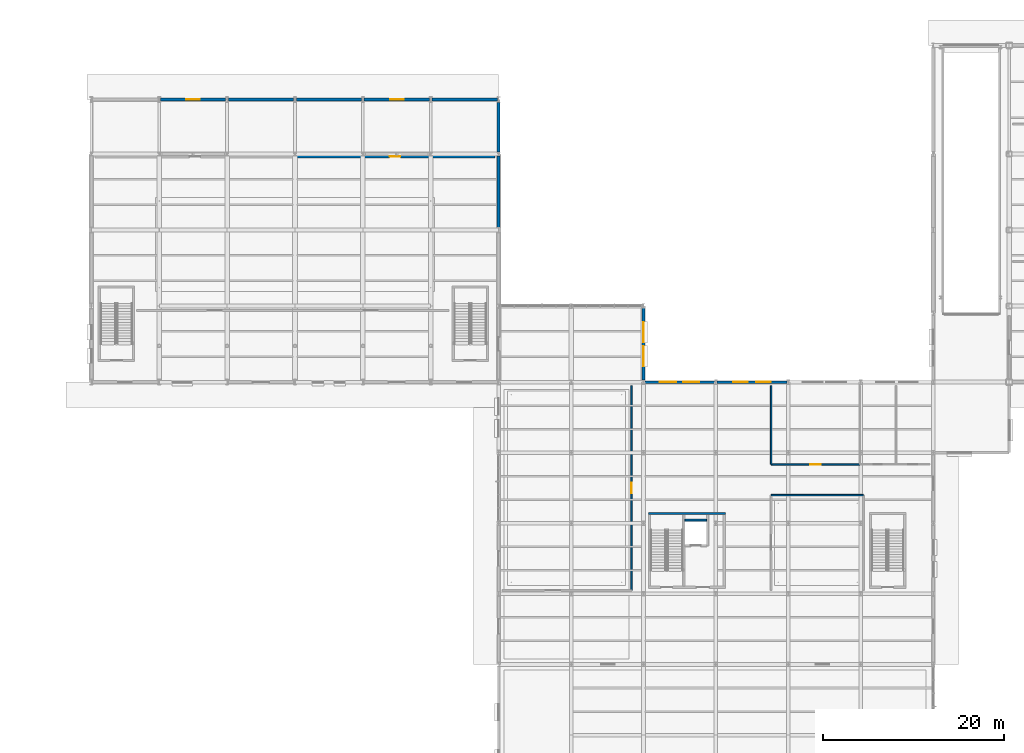
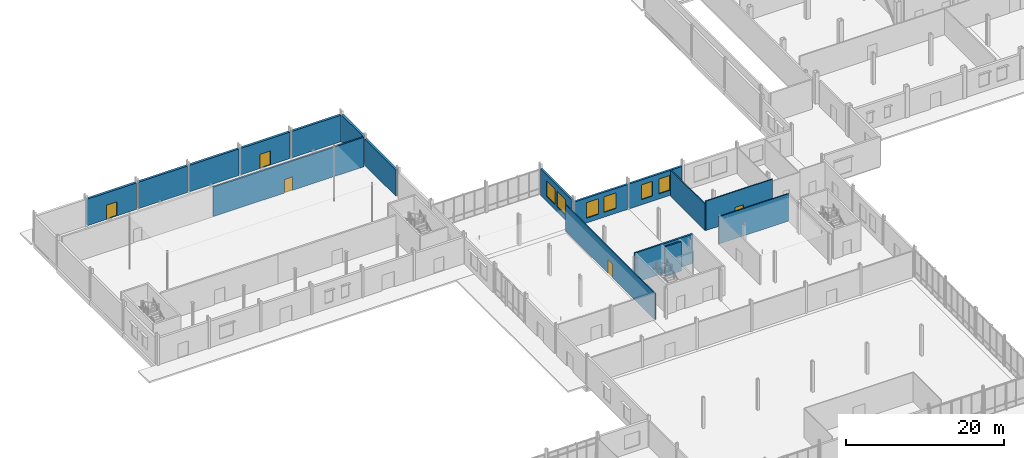
# One storey, part 56 of 82: 17 walls, 6 windows, 5 doors, 11 openings.
"""IFC4 building model written with IfcOpenShell, lengths in metres."""

from ifc_helpers import new_model, si_unit, direction, frame, frame_2d, origin, place, context, subcontext, project, spatial, rectangle, extrude, material, layer, layer_set, type_object, element, fill, save


model = new_model("IFC4")

# Units and contexts
model_context = context("Model", 3, precision=1e-05, world=origin(), true_north=direction((0.0, 1.0)))
body_context = subcontext(model_context, "Body", "Model", "MODEL_VIEW")
ifc_project = project(units=[si_unit("LENGTHUNIT", "METRE"), si_unit("AREAUNIT", "SQUARE_METRE"), si_unit("VOLUMEUNIT", "CUBIC_METRE"), si_unit("PLANEANGLEUNIT", "RADIAN"), si_unit("MASSUNIT", "GRAM", prefix="KILO")], contexts=[model_context])

# Site, building, storey
site_placement = place(None, origin())
site = spatial("IfcSite", under=ifc_project, at=site_placement, CompositionType="ELEMENT")
building_placement = place(site_placement, origin())
building = spatial("IfcBuilding", under=site, at=building_placement, Name="Yukiwa Park Conservatory and Herbarium", CompositionType="ELEMENT")
storey_placement = place(building_placement, origin())
storey = spatial("IfcBuildingStorey", under=building, at=storey_placement, Name="L00", CompositionType="ELEMENT", Elevation=0.0)

# Walls
ifc_material_1 = material(Name="Concrete C40", Category="concrete")
ifc_layer_1 = layer(ifc_material_1, 0.219970703125)
ifc_layer_set_1 = layer_set([ifc_layer_1], Name="Concrete C40")
wall_type_1 = type_object("IfcWallType", Name="WL-CORE-RC220", PredefinedType="SHEAR", material=ifc_layer_set_1)
wall_1_placement = place(storey_placement, frame((80.570068359375, 62.760009765625, 0.0), z_axis=(0.0, 0.0, 1.0), x_axis=(1.0, 0.0, 0.0)))
element("IfcWall", 1, at=wall_1_placement, inside=storey, type_object=wall_type_1, Name="L00 core shear wall 100", PredefinedType="SHEAR", context=body_context, shape_type="SweptSolid", body=[
    extrude(rectangle(XDim=2.39990234375, YDim=0.219970703125, at=frame_2d((1.199951171875, 0.0))), origin(), (0.0, 0.0, 1.0), 4.56005859375),
])
ifc_material_2 = material(Name="Concrete C50", Category="concrete")
ifc_layer_2 = layer(ifc_material_2, 0.239990234375)
ifc_layer_set_2 = layer_set([ifc_layer_2], Name="Concrete C50")
wall_type_2 = type_object("IfcWallType", Name="WL-CORE-RC240", PredefinedType="SHEAR", material=ifc_layer_set_2)
wall_2_placement = place(storey_placement, frame((76.56005859375, 63.469970703125, 0.0), z_axis=(0.0, 0.0, 1.0), x_axis=(1.0, 0.0, 0.0)))
element("IfcWall", 2, at=wall_2_placement, inside=storey, type_object=wall_type_2, Name="L00 core shear wall 94", PredefinedType="SHEAR", context=body_context, shape_type="SweptSolid", body=[
    extrude(rectangle(XDim=8.47998046875, YDim=0.239990234375, at=frame_2d((4.239990234375, 0.0))), origin(), (0.0, 0.0, 1.0), 4.56005859375),
])
ifc_material_3 = material(Name="Pale Granite Cladding", Category="masonry")
ifc_layer_3 = layer(ifc_material_3, 0.340087890625)
ifc_layer_set_3 = layer_set([ifc_layer_3], Name="Pale Granite Cladding")
wall_type_3 = type_object("IfcWallType", Name="WL-EXT-AUD-340", PredefinedType="SOLIDWALL", material=ifc_layer_set_3)
wall_3_placement = place(storey_placement, frame((60.0, 95.093994140625, 0.0), z_axis=(0.0, 0.0, 1.0), x_axis=(0.0, 1.0, 0.0)))
element("IfcWall", 3, at=wall_3_placement, inside=storey, type_object=wall_type_3, Name="L00 exterior envelope wall 128", PredefinedType="SOLIDWALL", context=body_context, shape_type="SweptSolid", body=[
    extrude(rectangle(XDim=7.906005859375, YDim=0.340087890625, at=frame_2d((3.953125, 0.0))), origin(), (0.0, 0.0, 1.0), 4.06005859375),
])
wall_4_placement = place(storey_placement, frame((60.0, 103.39990234375, 0.0), z_axis=(0.0, 0.0, 1.0), x_axis=(0.0, 1.0, 0.0)))
element("IfcWall", 4, at=wall_4_placement, inside=storey, type_object=wall_type_3, Name="L00 exterior envelope wall 129", PredefinedType="SOLIDWALL", context=body_context, shape_type="SweptSolid", body=[
    extrude(rectangle(XDim=5.506103515625, YDim=0.340087890625, at=frame_2d((2.7529296875, 0.0))), origin(), (0.0, 0.0, 1.0), 4.219970703125),
])
wall_5_placement = place(storey_placement, frame((59.85009765625, 109.199951171875, 0.0), z_axis=(0.0, 0.0, 1.0), x_axis=(-1.0, 0.0, 0.0)))
element("IfcWall", 5, at=wall_5_placement, inside=storey, type_object=wall_type_3, Name="L00 exterior envelope wall 130", PredefinedType="SOLIDWALL", context=body_context, shape_type="SweptSolid", body=[
    extrude(rectangle(XDim=7.2001953125, YDim=0.340087890625, at=frame_2d((3.60009765625, 0.0))), origin(), (0.0, 0.0, 1.0), 4.110107421875),
])

# Wall, opening, door
wall_6_placement = place(storey_placement, frame((52.35009765625, 109.199951171875, 0.0), z_axis=(0.0, 0.0, 1.0), x_axis=(-1.0, 0.0, 0.0)))
wall_6 = element("IfcWall", 6, at=wall_6_placement, inside=storey, type_object=wall_type_3, Name="L00 exterior envelope wall 131", PredefinedType="SOLIDWALL", context=body_context, shape_type="SweptSolid", body=[
    extrude(rectangle(XDim=7.2001953125, YDim=0.340087890625, at=frame_2d((3.60009765625, 0.0))), origin(), (0.0, 0.0, 1.0), 4.110107421875),
])
opening_1_placement = place(wall_6_placement, frame((2.85009765625, 0.0, 0.0)))
opening_1 = element("IfcOpeningElement", 7, at=opening_1_placement, cuts=wall_6, Name="Opening EX-D3", PredefinedType="OPENING", context=body_context, shape_type="SweptSolid", body=[
    extrude(rectangle(XDim=1.5, YDim=2.199951171875, at=frame_2d((0.75, 1.10009765625))), frame((0.0, 0.18017578125, 0.0), z_axis=(0.0, -1.0, 0.0), x_axis=(1.0, 0.0, 0.0)), (0.0, 0.0, 1.0), 0.360107421875),
])
ifc_material_4 = material(Name="Steel Q235B", Category="steel")
door_type_1 = type_object("IfcDoorType", Name="DR-EXT-1500X2200", OperationType="DOUBLE_DOOR_SINGLE_SWING", PredefinedType="DOOR", material=ifc_material_4)
door_1_placement = place(opening_1_placement, frame((1.5, 0.0, 0.0), z_axis=(0.0, 0.0, 1.0), x_axis=(-1.0, 0.0, 0.0)))
door_1 = element("IfcDoor", 8, at=door_1_placement, inside=storey, type_object=door_type_1, Name="Auditorium North stage exit E EX-18", OperationType="DOUBLE_DOOR_SINGLE_SWING", OverallHeight=2.199951171875, OverallWidth=1.5, PredefinedType="DOOR", context=body_context, shape_type="SweptSolid", body=[
    extrude(rectangle(XDim=1.5, YDim=2.199951171875, at=frame_2d((0.75, 1.10009765625))), frame((0.0, 0.02490234375, 0.0), z_axis=(0.0, -1.0, 0.0), x_axis=(1.0, 0.0, 0.0)), (0.0, 0.0, 1.0), 0.050048828125),
])
fill(opening_1, door_1)

# Walls
for number, where, z_axis, x_axis, name in (
    (9, (44.85009765625, 109.199951171875, 0.0), (0.0, 0.0, 1.0), (-1.0, 0.0, 0.0), "L00 exterior envelope wall 132"),
    (10, (37.35009765625, 109.199951171875, 0.0), (0.0, 0.0, 1.0), (-1.0, 0.0, 0.0), "L00 exterior envelope wall 133"),
):
    element("IfcWall", number, at=place(storey_placement, frame(where, z_axis=z_axis, x_axis=x_axis)), inside=storey, type_object=wall_type_3, Name=name, PredefinedType="SOLIDWALL", context=body_context, shape_type="SweptSolid", body=[
        extrude(rectangle(XDim=7.2001953125, YDim=0.340087890625, at=frame_2d((3.60009765625, 0.0))), origin(), (0.0, 0.0, 1.0), 4.110107421875),
    ])

# Wall, opening, door
wall_7_placement = place(storey_placement, frame((29.85009765625, 109.199951171875, 0.0), z_axis=(0.0, 0.0, 1.0), x_axis=(-1.0, 0.0, 0.0)))
wall_7 = element("IfcWall", 11, at=wall_7_placement, inside=storey, type_object=wall_type_3, Name="L00 exterior envelope wall 134", PredefinedType="SOLIDWALL", context=body_context, shape_type="SweptSolid", body=[
    extrude(rectangle(XDim=7.2001953125, YDim=0.340087890625, at=frame_2d((3.60009765625, 0.0))), origin(), (0.0, 0.0, 1.0), 4.110107421875),
])
opening_2_placement = place(wall_7_placement, frame((2.85009765625, 0.0, 0.0)))
opening_2 = element("IfcOpeningElement", 12, at=opening_2_placement, cuts=wall_7, Name="Opening EX-D3", PredefinedType="OPENING", context=body_context, shape_type="SweptSolid", body=[
    extrude(rectangle(XDim=1.5, YDim=2.199951171875, at=frame_2d((0.75, 1.10009765625))), frame((0.0, 0.18017578125, 0.0), z_axis=(0.0, -1.0, 0.0), x_axis=(1.0, 0.0, 0.0)), (0.0, 0.0, 1.0), 0.360107421875),
])
door_2_placement = place(opening_2_placement, frame((1.5, 0.0, 0.0), z_axis=(0.0, 0.0, 1.0), x_axis=(-1.0, 0.0, 0.0)))
door_2 = element("IfcDoor", 13, at=door_2_placement, inside=storey, type_object=door_type_1, Name="Auditorium North stage exit W EX-17", OperationType="DOUBLE_DOOR_SINGLE_SWING", OverallHeight=2.199951171875, OverallWidth=1.5, PredefinedType="DOOR", context=body_context, shape_type="SweptSolid", body=[
    extrude(rectangle(XDim=1.5, YDim=2.199951171875, at=frame_2d((0.75, 1.10009765625))), frame((0.0, 0.02490234375, 0.0), z_axis=(0.0, -1.0, 0.0), x_axis=(1.0, 0.0, 0.0)), (0.0, 0.0, 1.0), 0.050048828125),
])
fill(opening_2, door_2)

# Wall, openings, windows
ifc_material_5 = material(Name="Charred Larch Cladding", Category="wood")
ifc_layer_4 = layer(ifc_material_5, 0.2900390625)
ifc_layer_set_4 = layer_set([ifc_layer_4], Name="Charred Larch Cladding")
wall_type_4 = type_object("IfcWallType", Name="WL-EXT-LARCH-290", PredefinedType="SOLIDWALL", material=ifc_layer_set_4)
wall_8_placement = place(storey_placement, frame((91.85009765625, 78.0, 0.0), z_axis=(0.0, 0.0, 1.0), x_axis=(-1.0, 0.0, 0.0)))
wall_8 = element("IfcWall", 14, at=wall_8_placement, inside=storey, type_object=wall_type_4, Name="L00 exterior envelope wall 124", PredefinedType="SOLIDWALL", context=body_context, shape_type="SweptSolid", body=[
    extrude(rectangle(XDim=7.7001953125, YDim=0.2900390625, at=frame_2d((3.85009765625, 0.0))), origin(), (0.0, 0.0, 1.0), 3.867919921875),
])
opening_3_placement = place(wall_8_placement, frame((1.76708984375, 0.0, 0.800048828125)))
opening_3 = element("IfcOpeningElement", 15, at=opening_3_placement, cuts=wall_8, Name="Opening W-28", PredefinedType="OPENING", context=body_context, shape_type="SweptSolid", body=[
    extrude(rectangle(XDim=1.60009765625, YDim=2.300048828125, at=frame_2d((0.800048828125, 1.14990234375))), frame((0.0, 0.155029296875, 0.0), z_axis=(0.0, -1.0, 0.0), x_axis=(1.0, 0.0, 0.0)), (0.0, 0.0, 1.0), 0.31005859375),
])
opening_4_placement = place(wall_8_placement, frame((4.3330078125, 0.0, 0.800048828125)))
opening_4 = element("IfcOpeningElement", 16, at=opening_4_placement, cuts=wall_8, Name="Opening W-28", PredefinedType="OPENING", context=body_context, shape_type="SweptSolid", body=[
    extrude(rectangle(XDim=1.60009765625, YDim=2.300048828125, at=frame_2d((0.800048828125, 1.14990234375))), frame((0.0, 0.155029296875, 0.0), z_axis=(0.0, -1.0, 0.0), x_axis=(1.0, 0.0, 0.0)), (0.0, 0.0, 1.0), 0.31005859375),
])
ifc_material_6 = material(Name="Triple Low-E Insulated Glass", Category="glass")
window_type_1 = type_object("IfcWindowType", Name="WN-VS-1600X2300", PartitioningType="SINGLE_PANEL", PredefinedType="WINDOW", material=ifc_material_6)
window_1_placement = place(opening_3_placement, origin())
window_1 = element("IfcWindow", 17, at=window_1_placement, inside=storey, type_object=window_type_1, Name="L00 deep-reveal triple-glazed window 29", OverallHeight=2.300048828125, OverallWidth=1.60009765625, PartitioningType="SINGLE_PANEL", PredefinedType="WINDOW", context=body_context, shape_type="SweptSolid", body=[
    extrude(rectangle(XDim=1.60009765625, YDim=2.300048828125, at=frame_2d((0.800048828125, 1.14990234375))), frame((0.0, 0.030029296875, 0.0), z_axis=(0.0, -1.0, 0.0), x_axis=(1.0, 0.0, 0.0)), (0.0, 0.0, 1.0), 0.06005859375),
])
fill(opening_3, window_1)
window_2_placement = place(opening_4_placement, origin())
window_2 = element("IfcWindow", 18, at=window_2_placement, inside=storey, type_object=window_type_1, Name="L00 deep-reveal triple-glazed window 30", OverallHeight=2.300048828125, OverallWidth=1.60009765625, PartitioningType="SINGLE_PANEL", PredefinedType="WINDOW", context=body_context, shape_type="SweptSolid", body=[
    extrude(rectangle(XDim=1.60009765625, YDim=2.300048828125, at=frame_2d((0.800048828125, 1.14990234375))), frame((0.0, 0.030029296875, 0.0), z_axis=(0.0, -1.0, 0.0), x_axis=(1.0, 0.0, 0.0)), (0.0, 0.0, 1.0), 0.06005859375),
])
fill(opening_4, window_2)

wall_9_placement = place(storey_placement, frame((83.85009765625, 78.0, 0.0), z_axis=(0.0, 0.0, 1.0), x_axis=(-1.0, 0.0, 0.0)))
wall_9 = element("IfcWall", 19, at=wall_9_placement, inside=storey, type_object=wall_type_4, Name="L00 exterior envelope wall 125", PredefinedType="SOLIDWALL", context=body_context, shape_type="SweptSolid", body=[
    extrude(rectangle(XDim=7.7001953125, YDim=0.2900390625, at=frame_2d((3.85009765625, 0.0))), origin(), (0.0, 0.0, 1.0), 3.867919921875),
])
opening_5_placement = place(wall_9_placement, frame((1.6669921875, 0.0, 0.75)))
opening_5 = element("IfcOpeningElement", 20, at=opening_5_placement, cuts=wall_9, Name="Opening W-12", PredefinedType="OPENING", context=body_context, shape_type="SweptSolid", body=[
    extrude(rectangle(XDim=1.800048828125, YDim=2.39990234375, at=frame_2d((0.89990234375, 1.199951171875))), frame((0.0, 0.155029296875, 0.0), z_axis=(0.0, -1.0, 0.0), x_axis=(1.0, 0.0, 0.0)), (0.0, 0.0, 1.0), 0.31005859375),
])
opening_6_placement = place(wall_9_placement, frame((4.23291015625, 0.0, 0.75)))
opening_6 = element("IfcOpeningElement", 21, at=opening_6_placement, cuts=wall_9, Name="Opening W-12", PredefinedType="OPENING", context=body_context, shape_type="SweptSolid", body=[
    extrude(rectangle(XDim=1.800048828125, YDim=2.39990234375, at=frame_2d((0.89990234375, 1.199951171875))), frame((0.0, 0.155029296875, 0.0), z_axis=(0.0, -1.0, 0.0), x_axis=(1.0, 0.0, 0.0)), (0.0, 0.0, 1.0), 0.31005859375),
])
ifc_material_7 = material(Name="Triple Low-E Insulated Glass", Category="glass")
window_type_2 = type_object("IfcWindowType", Name="WN-VS-1800X2400", PartitioningType="SINGLE_PANEL", PredefinedType="WINDOW", material=ifc_material_7)
window_3_placement = place(opening_5_placement, origin())
window_3 = element("IfcWindow", 22, at=window_3_placement, inside=storey, type_object=window_type_2, Name="L00 deep-reveal triple-glazed window 31", OverallHeight=2.39990234375, OverallWidth=1.800048828125, PartitioningType="SINGLE_PANEL", PredefinedType="WINDOW", context=body_context, shape_type="SweptSolid", body=[
    extrude(rectangle(XDim=1.800048828125, YDim=2.39990234375, at=frame_2d((0.89990234375, 1.199951171875))), frame((0.0, 0.030029296875, 0.0), z_axis=(0.0, -1.0, 0.0), x_axis=(1.0, 0.0, 0.0)), (0.0, 0.0, 1.0), 0.06005859375),
])
fill(opening_5, window_3)
window_4_placement = place(opening_6_placement, origin())
window_4 = element("IfcWindow", 23, at=window_4_placement, inside=storey, type_object=window_type_2, Name="L00 deep-reveal triple-glazed window 32", OverallHeight=2.39990234375, OverallWidth=1.800048828125, PartitioningType="SINGLE_PANEL", PredefinedType="WINDOW", context=body_context, shape_type="SweptSolid", body=[
    extrude(rectangle(XDim=1.800048828125, YDim=2.39990234375, at=frame_2d((0.89990234375, 1.199951171875))), frame((0.0, 0.030029296875, 0.0), z_axis=(0.0, -1.0, 0.0), x_axis=(1.0, 0.0, 0.0)), (0.0, 0.0, 1.0), 0.06005859375),
])
fill(opening_6, window_4)

wall_10_placement = place(storey_placement, frame((76.0, 78.219970703125, 0.0), z_axis=(0.0, 0.0, 1.0), x_axis=(0.0, 1.0, 0.0)))
wall_10 = element("IfcWall", 24, at=wall_10_placement, inside=storey, type_object=wall_type_4, Name="L00 exterior envelope wall 126", PredefinedType="SOLIDWALL", context=body_context, shape_type="SweptSolid", body=[
    extrude(rectangle(XDim=7.93603515625, YDim=0.2900390625, at=frame_2d((3.968017578125, 0.0))), origin(), (0.0, 0.0, 1.0), 4.06005859375),
])
opening_7_placement = place(wall_10_placement, frame((1.544921875, 0.0, 0.75)))
opening_7 = element("IfcOpeningElement", 25, at=opening_7_placement, cuts=wall_10, Name="Opening W-13", PredefinedType="OPENING", context=body_context, shape_type="SweptSolid", body=[
    extrude(rectangle(XDim=2.199951171875, YDim=2.39990234375, at=frame_2d((1.10009765625, 1.199951171875))), frame((0.0, 0.155029296875, 0.0), z_axis=(0.0, -1.0, 0.0), x_axis=(1.0, 0.0, 0.0)), (0.0, 0.0, 1.0), 0.31005859375),
])
opening_8_placement = place(wall_10_placement, frame((4.19091796875, 0.0, 0.75)))
opening_8 = element("IfcOpeningElement", 26, at=opening_8_placement, cuts=wall_10, Name="Opening W-13", PredefinedType="OPENING", context=body_context, shape_type="SweptSolid", body=[
    extrude(rectangle(XDim=2.199951171875, YDim=2.39990234375, at=frame_2d((1.10009765625, 1.199951171875))), frame((0.0, 0.155029296875, 0.0), z_axis=(0.0, -1.0, 0.0), x_axis=(1.0, 0.0, 0.0)), (0.0, 0.0, 1.0), 0.31005859375),
])
ifc_material_8 = material(Name="Triple Low-E Insulated Glass", Category="glass")
window_type_3 = type_object("IfcWindowType", Name="WN-VS-2200X2400", PartitioningType="SINGLE_PANEL", PredefinedType="WINDOW", material=ifc_material_8)
window_5_placement = place(opening_7_placement, origin())
window_5 = element("IfcWindow", 27, at=window_5_placement, inside=storey, type_object=window_type_3, Name="L00 deep-reveal triple-glazed window 33", OverallHeight=2.39990234375, OverallWidth=2.199951171875, PartitioningType="SINGLE_PANEL", PredefinedType="WINDOW", context=body_context, shape_type="SweptSolid", body=[
    extrude(rectangle(XDim=2.199951171875, YDim=2.39990234375, at=frame_2d((1.10009765625, 1.199951171875))), frame((0.0, 0.030029296875, 0.0), z_axis=(0.0, -1.0, 0.0), x_axis=(1.0, 0.0, 0.0)), (0.0, 0.0, 1.0), 0.06005859375),
])
fill(opening_7, window_5)
window_6_placement = place(opening_8_placement, origin())
window_6 = element("IfcWindow", 28, at=window_6_placement, inside=storey, type_object=window_type_3, Name="L00 deep-reveal triple-glazed window 34", OverallHeight=2.39990234375, OverallWidth=2.199951171875, PartitioningType="SINGLE_PANEL", PredefinedType="WINDOW", context=body_context, shape_type="SweptSolid", body=[
    extrude(rectangle(XDim=2.199951171875, YDim=2.39990234375, at=frame_2d((1.10009765625, 1.199951171875))), frame((0.0, 0.030029296875, 0.0), z_axis=(0.0, -1.0, 0.0), x_axis=(1.0, 0.0, 0.0)), (0.0, 0.0, 1.0), 0.06005859375),
])
fill(opening_8, window_6)

# Wall, opening, door
ifc_material_9 = material(Name="Gypsum Board Partition", Category="gypsum")
ifc_layer_5 = layer(ifc_material_9, 0.239990234375)
ifc_layer_set_5 = layer_set([ifc_layer_5], Name="Gypsum Board Partition")
wall_type_5 = type_object("IfcWallType", Name="WL-PART-ACOUST-240", PredefinedType="SOLIDWALL", material=ifc_layer_set_5)
wall_11_placement = place(storey_placement, frame((37.5, 102.89990234375, 0.0), z_axis=(0.0, 0.0, 1.0), x_axis=(1.0, 0.0, 0.0)))
wall_11 = element("IfcWall", 29, at=wall_11_placement, inside=storey, type_object=wall_type_5, Name="L00 interior partition wall 150", PredefinedType="SOLIDWALL", context=body_context, shape_type="SweptSolid", body=[
    extrude(rectangle(XDim=22.10009765625, YDim=0.239990234375, at=frame_2d((11.050048828125, 0.0))), origin(), (0.0, 0.0, 1.0), 4.56005859375),
])
opening_9_placement = place(wall_11_placement, frame((10.449951171875, 0.0, 0.0)))
opening_9 = element("IfcOpeningElement", 30, at=opening_9_placement, cuts=wall_11, Name="Opening ID-12", PredefinedType="OPENING", context=body_context, shape_type="SweptSolid", body=[
    extrude(rectangle(XDim=1.199951171875, YDim=2.080078125, at=frame_2d((0.60009765625, 1.0400390625))), frame((0.0, 0.1298828125, 0.0), z_axis=(0.0, -1.0, 0.0), x_axis=(1.0, 0.0, 0.0)), (0.0, 0.0, 1.0), 0.260009765625),
])
ifc_material_10 = material(Name="Charred Larch Cladding", Category="wood")
door_type_2 = type_object("IfcDoorType", Name="DR-INT-1200", OperationType="SINGLE_SWING_LEFT", PredefinedType="DOOR", material=ifc_material_10)
door_3_placement = place(opening_9_placement, origin())
door_3 = element("IfcDoor", 31, at=door_3_placement, inside=storey, type_object=door_type_2, Name="L00 Auditorium Stage east wing door", OperationType="SINGLE_SWING_LEFT", OverallHeight=2.080078125, OverallWidth=1.199951171875, PredefinedType="DOOR", context=body_context, shape_type="SweptSolid", body=[
    extrude(rectangle(XDim=1.199951171875, YDim=2.080078125, at=frame_2d((0.60009765625, 1.0400390625))), frame((0.0, 0.02490234375, 0.0), z_axis=(0.0, -1.0, 0.0), x_axis=(1.0, 0.0, 0.0)), (0.0, 0.0, 1.0), 0.050048828125),
])
fill(opening_9, door_3)

ifc_material_11 = material(Name="Gypsum Board Partition", Category="gypsum")
ifc_layer_6 = layer(ifc_material_11, 0.159912109375)
ifc_layer_set_6 = layer_set([ifc_layer_6], Name="Gypsum Board Partition")
wall_type_6 = type_object("IfcWallType", Name="WL-PART-GYP-160", PredefinedType="PARTITIONING", material=ifc_layer_set_6)
wall_12_placement = place(storey_placement, frame((74.699951171875, 55.0, 0.0), z_axis=(0.0, 0.0, 1.0), x_axis=(0.0, 1.0, 0.0)))
wall_12 = element("IfcWall", 32, at=wall_12_placement, inside=storey, type_object=wall_type_6, Name="L00 interior partition wall 135", PredefinedType="PARTITIONING", context=body_context, shape_type="SweptSolid", body=[
    extrude(rectangle(XDim=22.60009765625, YDim=0.159912109375, at=frame_2d((11.300048828125, 0.0))), origin(), (0.0, 0.0, 1.0), 4.06005859375),
])
opening_10_placement = place(wall_12_placement, frame((10.699951171875, 0.0, 0.0)))
opening_10 = element("IfcOpeningElement", 33, at=opening_10_placement, cuts=wall_12, Name="Opening ID-12", PredefinedType="OPENING", context=body_context, shape_type="SweptSolid", body=[
    extrude(rectangle(XDim=1.199951171875, YDim=2.080078125, at=frame_2d((0.60009765625, 1.0400390625))), frame((0.0, 0.08984375, 0.0), z_axis=(0.0, -1.0, 0.0), x_axis=(1.0, 0.0, 0.0)), (0.0, 0.0, 1.0), 0.179931640625),
])
door_4_placement = place(opening_10_placement, origin())
door_4 = element("IfcDoor", 34, at=door_4_placement, inside=storey, type_object=door_type_2, Name="L00 Visitor Centre east door", OperationType="SINGLE_SWING_LEFT", OverallHeight=2.080078125, OverallWidth=1.199951171875, PredefinedType="DOOR", context=body_context, shape_type="SweptSolid", body=[
    extrude(rectangle(XDim=1.199951171875, YDim=2.080078125, at=frame_2d((0.60009765625, 1.0400390625))), frame((0.0, 0.02490234375, 0.0), z_axis=(0.0, -1.0, 0.0), x_axis=(1.0, 0.0, 0.0)), (0.0, 0.0, 1.0), 0.050048828125),
])
fill(opening_10, door_4)

# Wall
wall_13_placement = place(storey_placement, frame((90.10009765625, 65.5, 0.0), z_axis=(0.0, 0.0, 1.0), x_axis=(1.0, 0.0, 0.0)))
element("IfcWall", 35, at=wall_13_placement, inside=storey, type_object=wall_type_6, Name="L00 interior partition wall 138", PredefinedType="PARTITIONING", context=body_context, shape_type="SweptSolid", body=[
    extrude(rectangle(XDim=10.199951171875, YDim=0.159912109375, at=frame_2d((5.10009765625, 0.0))), origin(), (0.0, 0.0, 1.0), 4.219970703125),
])

# Wall, opening, door
wall_14_placement = place(storey_placement, frame((90.10009765625, 68.89990234375, 0.0), z_axis=(0.0, 0.0, 1.0), x_axis=(1.0, 0.0, 0.0)))
wall_14 = element("IfcWall", 36, at=wall_14_placement, inside=storey, type_object=wall_type_6, Name="L00 interior partition wall 140", PredefinedType="PARTITIONING", context=body_context, shape_type="SweptSolid", body=[
    extrude(rectangle(XDim=9.7998046875, YDim=0.159912109375, at=frame_2d((4.89990234375, 0.0))), origin(), (0.0, 0.0, 1.0), 4.56005859375),
])
opening_11_placement = place(wall_14_placement, frame((4.300048828125, 0.0, 0.0)))
opening_11 = element("IfcOpeningElement", 37, at=opening_11_placement, cuts=wall_14, Name="Opening ID-12", PredefinedType="OPENING", context=body_context, shape_type="SweptSolid", body=[
    extrude(rectangle(XDim=1.199951171875, YDim=2.080078125, at=frame_2d((0.60009765625, 1.0400390625))), frame((0.0, 0.08984375, 0.0), z_axis=(0.0, -1.0, 0.0), x_axis=(1.0, 0.0, 0.0)), (0.0, 0.0, 1.0), 0.179931640625),
])
door_5_placement = place(opening_11_placement, origin())
door_5 = element("IfcDoor", 38, at=door_5_placement, inside=storey, type_object=door_type_2, Name="L00 Botanical Shop entrance door", OperationType="SINGLE_SWING_LEFT", OverallHeight=2.080078125, OverallWidth=1.199951171875, PredefinedType="DOOR", context=body_context, shape_type="SweptSolid", body=[
    extrude(rectangle(XDim=1.199951171875, YDim=2.080078125, at=frame_2d((0.60009765625, 1.0400390625))), frame((0.0, 0.02490234375, 0.0), z_axis=(0.0, -1.0, 0.0), x_axis=(1.0, 0.0, 0.0)), (0.0, 0.0, 1.0), 0.050048828125),
])
fill(opening_11, door_5)

# Wall
wall_15_placement = place(storey_placement, frame((90.10009765625, 68.89990234375, 0.0), z_axis=(0.0, 0.0, 1.0), x_axis=(0.0, 1.0, 0.0)))
element("IfcWall", 39, at=wall_15_placement, inside=storey, type_object=wall_type_6, Name="L00 interior partition wall 143", PredefinedType="PARTITIONING", context=body_context, shape_type="SweptSolid", body=[
    extrude(rectangle(XDim=8.7001953125, YDim=0.159912109375, at=frame_2d((4.35009765625, 0.0))), origin(), (0.0, 0.0, 1.0), 4.06005859375),
])

save(model, "model.ifc")
